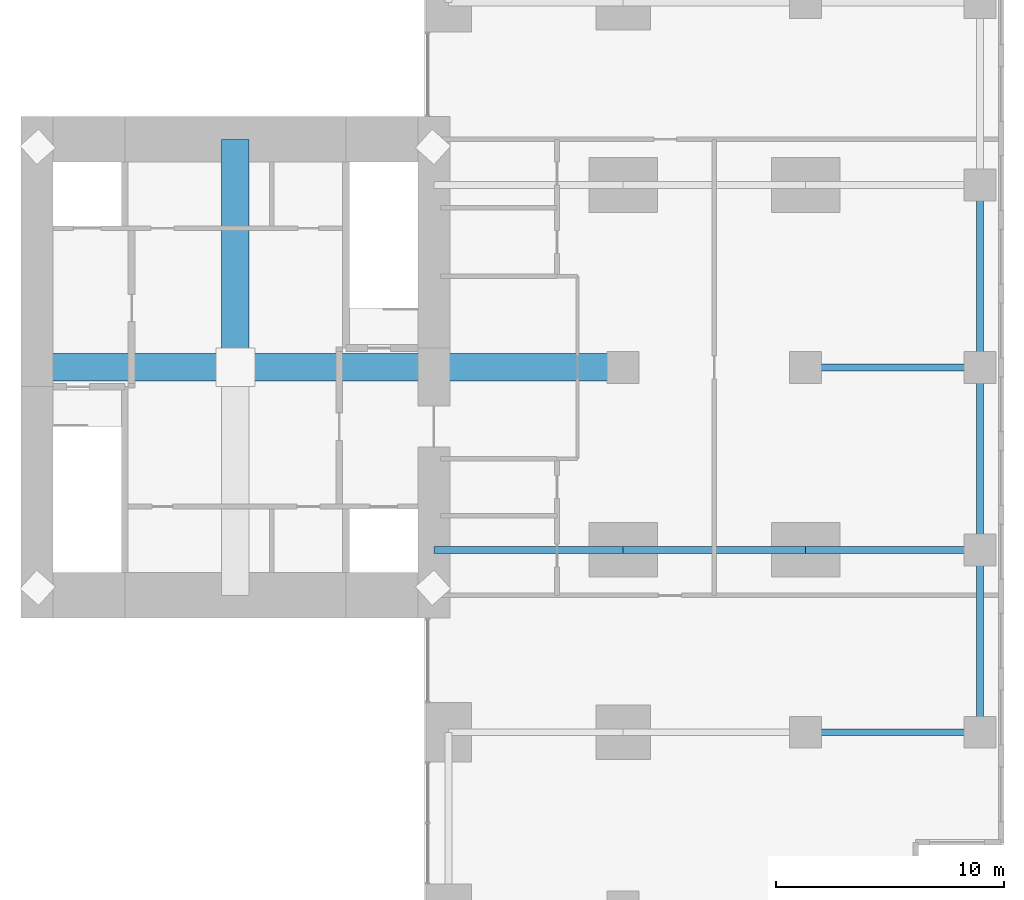
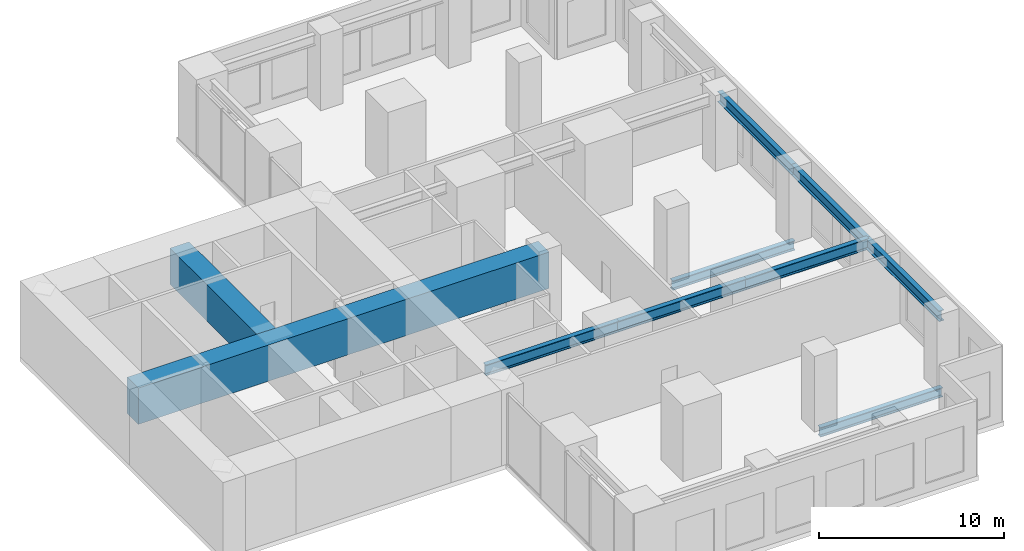
# One storey, part 3 of 7: 10 beams.
"""IFC4 building model written with IfcOpenShell, lengths in metres."""

from ifc_helpers import new_model, si_unit, direction, frame, origin, origin_2d, place, context, subcontext, project, spatial, rectangle, i_section, extrude, material, material_profile, profile_set, type_object, element, save


model = new_model("IFC4")

# Units and contexts
model_context = context("Model", 3, precision=1e-05, world=origin(), true_north=direction((0.0, 1.0)))
body_context = subcontext(model_context, "Body", "Model", "MODEL_VIEW")
ifc_project = project(units=[si_unit("LENGTHUNIT", "METRE"), si_unit("AREAUNIT", "SQUARE_METRE"), si_unit("VOLUMEUNIT", "CUBIC_METRE"), si_unit("PLANEANGLEUNIT", "RADIAN"), si_unit("MASSUNIT", "GRAM", prefix="KILO")], contexts=[model_context])

# Site, building, storey
site_placement = place(None, origin())
site = spatial("IfcSite", under=ifc_project, at=site_placement, CompositionType="ELEMENT")
building_placement = place(site_placement, origin())
building = spatial("IfcBuilding", under=site, at=building_placement, Name="Cleftline Residences", CompositionType="ELEMENT")
storey_placement = place(building_placement, frame((0.0, 0.0, 296.60009765625)))
storey = spatial("IfcBuildingStorey", under=building, at=storey_placement, Name="L77", CompositionType="ELEMENT", Elevation=296.60009765625)

# Beams
ifc_material_1 = material(Name="Steel S355", Category="steel")
ifc_material_profile_1 = material_profile(ifc_material_1, i_section(OverallWidth=0.300048828125, OverallDepth=0.699951171875, WebThickness=0.01708984375, FlangeThickness=0.031982421875, FilletRadius=0.027099609375, at=origin_2d()))
ifc_profile_set_1 = profile_set([ifc_material_profile_1], Name="Steel S355")
beam_type_1 = type_object("IfcBeamType", Name="BEAM HEB 700", PredefinedType="BEAM", material=ifc_profile_set_1)
for number, where, z_axis, x_axis, name in (
    (1, (65.64990234375, 8.0, 4.349853515625), (0.0, 1.0, 0.0), (-1.0, 0.0, 0.0), "Edge beam"),
    (2, (65.64990234375, 16.0, 4.349853515625), (0.0, 1.0, 0.0), (-1.0, 0.0, 0.0), "Edge beam"),
    (3, (65.64990234375, 24.0, 4.349853515625), (0.0, 1.0, 0.0), (-1.0, 0.0, 0.0), "Edge beam"),
):
    element("IfcBeam", number, at=place(storey_placement, frame(where, z_axis=z_axis, x_axis=x_axis)), inside=storey, type_object=beam_type_1, Name=name, PredefinedType="BEAM", context=body_context, shape_type="SweptSolid", body=[
        extrude(i_section(OverallWidth=0.300048828125, OverallDepth=0.699951171875, WebThickness=0.01708984375, FlangeThickness=0.031982421875, FilletRadius=0.027099609375, at=origin_2d()), origin(), (0.0, 0.0, 1.0), 8.0),
    ])
ifc_material_2 = material(Name="Steel S355", Category="steel")
ifc_material_profile_2 = material_profile(ifc_material_2, i_section(OverallWidth=0.304931640625, OverallDepth=0.6201171875, WebThickness=0.02099609375, FlangeThickness=0.0400390625, FilletRadius=0.027099609375, at=origin_2d()))
ifc_profile_set_2 = profile_set([ifc_material_profile_2], Name="Steel S355")
beam_type_2 = type_object("IfcBeamType", Name="BEAM HEM 600", PredefinedType="BEAM", material=ifc_profile_set_2)
for number, where, z_axis, x_axis, name in (
    (4, (58.0, 8.0, -0.610107421875), (1.0, 0.0, 0.0), (0.0, 1.0, 0.0), "Plant support beam"),
    (5, (58.0, 24.0, -0.610107421875), (1.0, 0.0, 0.0), (0.0, 1.0, 0.0), "Plant support beam"),
):
    element("IfcBeam", number, at=place(storey_placement, frame(where, z_axis=z_axis, x_axis=x_axis)), inside=storey, type_object=beam_type_2, Name=name, PredefinedType="BEAM", context=body_context, shape_type="SweptSolid", body=[
        extrude(i_section(OverallWidth=0.304931640625, OverallDepth=0.6201171875, WebThickness=0.02099609375, FlangeThickness=0.0400390625, FilletRadius=0.027099609375, at=origin_2d()), origin(), (0.0, 0.0, 1.0), 7.64990234375),
    ])
ifc_material_3 = material(Name="Steel S355", Category="steel")
ifc_material_profile_3 = material_profile(ifc_material_3, i_section(OverallWidth=0.303955078125, OverallDepth=0.716064453125, WebThickness=0.02099609375, FlangeThickness=0.0400390625, FilletRadius=0.027099609375, at=origin_2d()))
ifc_profile_set_3 = profile_set([ifc_material_profile_3], Name="Steel S355")
beam_type_3 = type_object("IfcBeamType", Name="BEAM HEM 700", PredefinedType="BEAM", material=ifc_profile_set_3)
beam_1_placement = place(storey_placement, frame((65.64990234375, 16.0, 4.341796875), z_axis=(-1.0, 0.0, 0.0), x_axis=(0.0, -1.0, 0.0)))
element("IfcBeam", 6, at=beam_1_placement, inside=storey, type_object=beam_type_3, Name="Band beam", PredefinedType="BEAM", context=body_context, shape_type="SweptSolid", body=[
    extrude(i_section(OverallWidth=0.303955078125, OverallDepth=0.716064453125, WebThickness=0.02099609375, FlangeThickness=0.0400390625, FilletRadius=0.027099609375, at=origin_2d()), origin(), (0.0, 0.0, 1.0), 7.64990234375),
])
beam_2_placement = place(storey_placement, frame((58.0, 16.0, 4.341796875), z_axis=(-1.0, 0.0, 0.0), x_axis=(0.0, -1.0, 0.0)))
element("IfcBeam", 7, at=beam_2_placement, inside=storey, type_object=beam_type_3, Name="Band beam", PredefinedType="BEAM", context=body_context, shape_type="SweptSolid", body=[
    extrude(i_section(OverallWidth=0.303955078125, OverallDepth=0.716064453125, WebThickness=0.02099609375, FlangeThickness=0.0400390625, FilletRadius=0.027099609375, at=origin_2d()), origin(), (0.0, 0.0, 1.0), 8.0),
])
beam_3_placement = place(storey_placement, frame((50.0, 16.0, 4.341796875), z_axis=(-1.0, 0.0, 0.0), x_axis=(0.0, -1.0, 0.0)))
element("IfcBeam", 8, at=beam_3_placement, inside=storey, type_object=beam_type_3, Name="Band beam", PredefinedType="BEAM", context=body_context, shape_type="SweptSolid", body=[
    extrude(i_section(OverallWidth=0.303955078125, OverallDepth=0.716064453125, WebThickness=0.02099609375, FlangeThickness=0.0400390625, FilletRadius=0.027099609375, at=origin_2d()), origin(), (0.0, 0.0, 1.0), 8.300048828125),
])
ifc_material_4 = material(Name="Concrete B45", Category="concrete")
ifc_material_profile_4 = material_profile(ifc_material_4, rectangle(XDim=1.199951171875, YDim=2.39990234375, at=origin_2d()))
ifc_profile_set_4 = profile_set([ifc_material_profile_4], Name="Concrete B45")
beam_type_4 = type_object("IfcBeamType", Name="BEAM RC1200X2400", PredefinedType="BEAM", material=ifc_profile_set_4)
beam_4_placement = place(storey_placement, frame((24.300048828125, 24.0, 3.5), z_axis=(1.0, 0.0, 0.0), x_axis=(0.0, 1.0, 0.0)))
element("IfcBeam", 9, at=beam_4_placement, inside=storey, type_object=beam_type_4, Name="Spire transfer beam", PredefinedType="BEAM", context=body_context, shape_type="SweptSolid", body=[
    extrude(rectangle(XDim=1.199951171875, YDim=2.39990234375, at=origin_2d()), origin(), (0.0, 0.0, 1.0), 25.699951171875),
])
ifc_material_5 = material(Name="Concrete B45", Category="concrete")
ifc_material_profile_5 = material_profile(ifc_material_5, rectangle(XDim=1.199951171875, YDim=2.39990234375, at=origin_2d()))
ifc_profile_set_5 = profile_set([ifc_material_profile_5], Name="Concrete B45")
beam_type_5 = type_object("IfcBeamType", Name="BEAM RC1200X2400 CROSS", PredefinedType="BEAM", material=ifc_profile_set_5)
beam_5_placement = place(storey_placement, frame((33.0, 24.60009765625, 3.5), z_axis=(0.0, 1.0, 0.0), x_axis=(-1.0, 0.0, 0.0)))
element("IfcBeam", 10, at=beam_5_placement, inside=storey, type_object=beam_type_5, Name="Spire cross beam", PredefinedType="BEAM", context=body_context, shape_type="SweptSolid", body=[
    extrude(rectangle(XDim=1.199951171875, YDim=2.39990234375, at=origin_2d()), origin(), (0.0, 0.0, 1.0), 9.39990234375),
])

save(model, "model.ifc")
